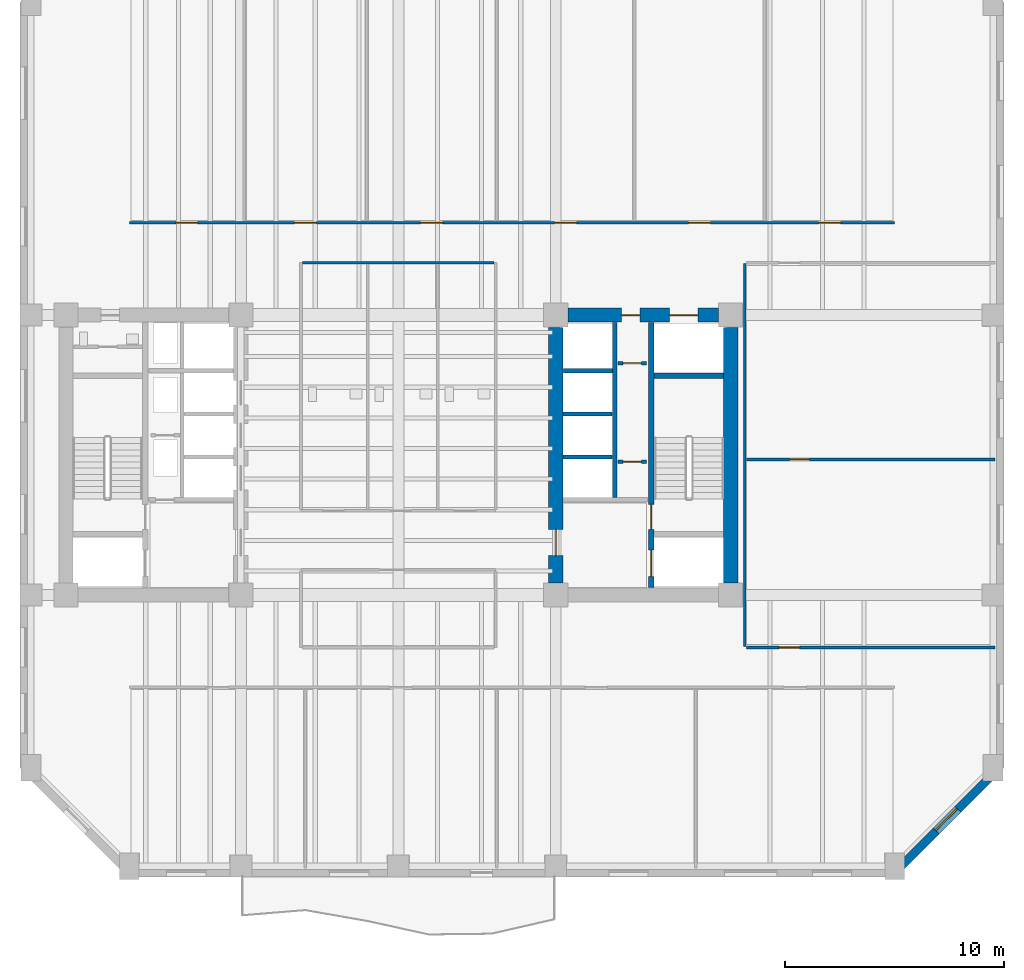
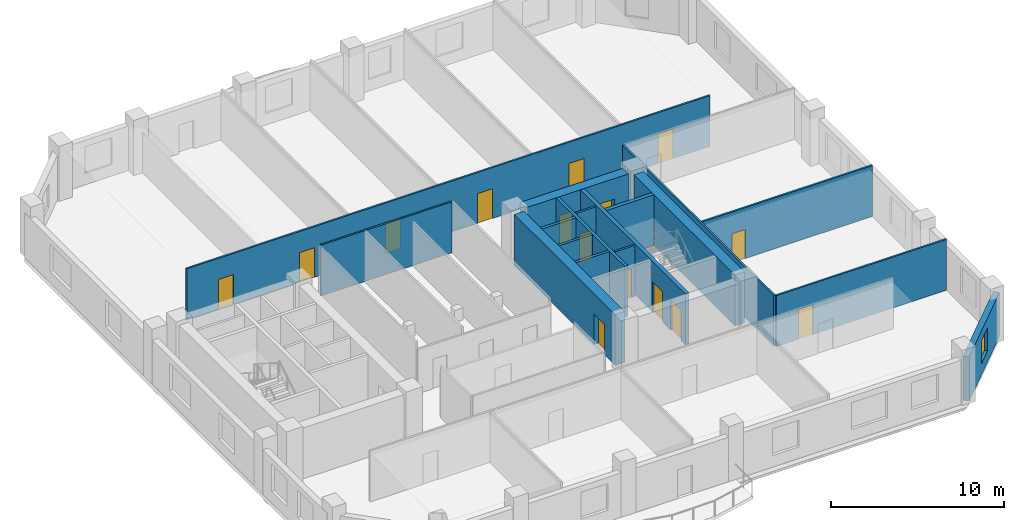
# One storey, part 4 of 8: 17 walls, 15 doors, 1 window, 16 openings.
"""IFC4 building model written with IfcOpenShell, lengths in metres."""

from ifc_helpers import new_model, si_unit, direction, frame, frame_2d, origin, place, context, subcontext, project, spatial, rectangle, extrude, material, layer, layer_set, type_object, element, fill, save


model = new_model("IFC4")

# Units and contexts
model_context = context("Model", 3, precision=1e-05, world=origin(), true_north=direction((0.0, 1.0)))
body_context = subcontext(model_context, "Body", "Model", "MODEL_VIEW")
ifc_project = project(units=[si_unit("LENGTHUNIT", "METRE"), si_unit("AREAUNIT", "SQUARE_METRE"), si_unit("VOLUMEUNIT", "CUBIC_METRE"), si_unit("PLANEANGLEUNIT", "RADIAN"), si_unit("MASSUNIT", "GRAM", prefix="KILO")], contexts=[model_context])

# Site, building, storey
site_placement = place(None, origin())
site = spatial("IfcSite", under=ifc_project, at=site_placement, CompositionType="ELEMENT")
building_placement = place(site_placement, origin())
building = spatial("IfcBuilding", under=site, at=building_placement, Name="Kranthara Brick Stack", CompositionType="ELEMENT")
storey_placement = place(building_placement, frame((0.0, 0.0, 82.800048828125)))
storey = spatial("IfcBuildingStorey", under=building, at=storey_placement, Name="L20", CompositionType="ELEMENT", Elevation=82.800048828125)

# Wall, opening, window
ifc_material_1 = material(Name="Kiln-fired clay brick masonry M15", Category="masonry")
ifc_layer_1 = layer(ifc_material_1, 0.3798828125)
ifc_layer_set_1 = layer_set([ifc_layer_1], Name="Kiln-fired clay brick masonry M15")
wall_type_1 = type_object("IfcWallType", Name="WL-BRK-PIER-380", PredefinedType="STANDARD", material=ifc_layer_set_1)
wall_1_placement = place(storey_placement, frame((55.489990234375, 12.89990234375, 0.0), z_axis=(0.0, 0.0, 1.0), x_axis=(-0.707124801467, -0.707088760447, 0.0)))
wall_1 = element("IfcWall", 1, at=wall_1_placement, inside=storey, type_object=wall_type_1, Name="L20 Exterior Brick Facade Wall SE 1", PredefinedType="STANDARD", context=body_context, shape_type="SweptSolid", body=[
    extrude(rectangle(XDim=6.77392578125, YDim=0.3798828125, at=frame_2d((3.386962890625, 0.0))), origin(), (0.0, 0.0, 1.0), 3.135009765625),
])
opening_1_placement = place(wall_1_placement, frame((2.68701171875, 0.0, 0.800048828125)))
opening_1 = element("IfcOpeningElement", 2, at=opening_1_placement, cuts=wall_1, Name="Opening WN10", PredefinedType="OPENING", context=body_context, shape_type="SweptSolid", body=[
    extrude(rectangle(XDim=1.39990234375, YDim=1.64990234375, at=frame_2d((0.699951171875, 0.824951171875))), frame((0.0, 0.199951171875, 0.0), z_axis=(0.0, -1.0, 0.0), x_axis=(1.0, 0.0, 0.0)), (0.0, 0.0, 1.0), 0.39990234375),
])
ifc_material_2 = material(Name="Double-glazed low-E solar control glass", Category="glass")
window_type = type_object("IfcWindowType", Name="WN-CHM-1400x1750", PartitioningType="SINGLE_PANEL", PredefinedType="WINDOW", material=ifc_material_2)
window_placement = place(opening_1_placement, origin())
window = element("IfcWindow", 3, at=window_placement, inside=storey, type_object=window_type, Name="L20 SE Chamfer Corner Window", OverallHeight=1.64990234375, OverallWidth=1.39990234375, PartitioningType="SINGLE_PANEL", PredefinedType="WINDOW", context=body_context, shape_type="SweptSolid", body=[
    extrude(rectangle(XDim=1.39990234375, YDim=1.64990234375, at=frame_2d((0.699951171875, 0.824951171875))), frame((0.0, -0.010009765625, 0.0), z_axis=(0.0, -1.0, 0.0), x_axis=(1.0, 0.0, 0.0)), (0.0, 0.0, 1.0), 0.06005859375),
])
fill(opening_1, window)

# Wall, openings, doors
ifc_material_3 = material(Name="Concrete C50/60", Category="concrete")
ifc_layer_2 = layer(ifc_material_3, 0.25)
ifc_layer_set_2 = layer_set([ifc_layer_2], Name="Concrete C50/60")
wall_type_2 = type_object("IfcWallType", Name="WL-CORE-250", PredefinedType="SHEAR", material=ifc_layer_set_2)
wall_2_placement = place(storey_placement, frame((39.56494140625, 21.135009765625, 0.0), z_axis=(0.0, 0.0, 1.0), x_axis=(0.0, 1.0, 0.0)))
wall_2 = element("IfcWall", 4, at=wall_2_placement, inside=storey, type_object=wall_type_2, Name="L20 East Core Stair Bearing Spine Wall", PredefinedType="SHEAR", context=body_context, shape_type="SweptSolid", body=[
    extrude(rectangle(XDim=12.1298828125, YDim=0.25, at=frame_2d((6.06494140625, 0.0))), origin(), (0.0, 0.0, 1.0), 3.599853515625),
])
opening_2_placement = place(wall_2_placement, frame((0.514892578125, 0.0, 0.0)))
opening_2 = element("IfcOpeningElement", 5, at=opening_2_placement, cuts=wall_2, Name="Opening LD01", PredefinedType="OPENING", context=body_context, shape_type="SweptSolid", body=[
    extrude(rectangle(XDim=1.199951171875, YDim=2.14990234375, at=frame_2d((0.60009765625, 1.074951171875))), frame((0.0, 0.135009765625, 0.0), z_axis=(0.0, -1.0, 0.0), x_axis=(1.0, 0.0, 0.0)), (0.0, 0.0, 1.0), 0.27001953125),
])
opening_3_placement = place(wall_2_placement, frame((2.6650390625, 0.0, 0.0)))
opening_3 = element("IfcOpeningElement", 6, at=opening_3_placement, cuts=wall_2, Name="Opening D05", PredefinedType="OPENING", context=body_context, shape_type="SweptSolid", body=[
    extrude(rectangle(XDim=1.14990234375, YDim=2.14990234375, at=frame_2d((0.574951171875, 1.074951171875))), frame((0.0, 0.135009765625, 0.0), z_axis=(0.0, -1.0, 0.0), x_axis=(1.0, 0.0, 0.0)), (0.0, 0.0, 1.0), 0.27001953125),
])
ifc_material_4 = material(Name="Stainless steel sliding landing door", Category="steel")
door_type_1 = type_object("IfcDoorType", Name="DR-LD-FF1200", OperationType="DOUBLE_DOOR_SLIDING", PredefinedType="DOOR", material=ifc_material_4)
door_1_placement = place(opening_2_placement, origin())
door_1 = element("IfcDoor", 7, at=door_1_placement, inside=storey, type_object=door_type_1, Name="L20 Firefighting Lift FF-02 Landing Door", OperationType="DOUBLE_DOOR_SLIDING", OverallHeight=2.14990234375, OverallWidth=1.199951171875, PredefinedType="DOOR", context=body_context, shape_type="SweptSolid", body=[
    extrude(rectangle(XDim=1.199951171875, YDim=2.14990234375, at=frame_2d((0.60009765625, 1.074951171875))), frame((0.0, 0.02490234375, 0.0), z_axis=(0.0, -1.0, 0.0), x_axis=(1.0, 0.0, 0.0)), (0.0, 0.0, 1.0), 0.050048828125),
])
fill(opening_2, door_1)
ifc_material_5 = material(Name="Solid-core hardwood timber leaf in steel frame", Category="steel")
door_type_2 = type_object("IfcDoorType", Name="DR-ST-1150", OperationType="NOTDEFINED", PredefinedType="DOOR", material=ifc_material_5)
door_2_placement = place(opening_3_placement, origin())
door_2 = element("IfcDoor", 8, at=door_2_placement, inside=storey, type_object=door_type_2, Name="L20 Exit Stair ST02 Door", OperationType="SINGLE_SWING_LEFT", OverallHeight=2.14990234375, OverallWidth=1.14990234375, PredefinedType="DOOR", context=body_context, shape_type="SweptSolid", body=[
    extrude(rectangle(XDim=1.14990234375, YDim=2.14990234375, at=frame_2d((0.574951171875, 1.074951171875))), frame((0.0, 0.02490234375, 0.0), z_axis=(0.0, -1.0, 0.0), x_axis=(1.0, 0.0, 0.0)), (0.0, 0.0, 1.0), 0.050048828125),
])
fill(opening_3, door_2)

# Walls
wall_3_placement = place(storey_placement, frame((39.68994140625, 30.830078125, 0.0), z_axis=(0.0, 0.0, 1.0), x_axis=(1.0, 0.0, 0.0)))
element("IfcWall", 9, at=wall_3_placement, inside=storey, type_object=wall_type_2, Name="L20 East Stairwell Bearing Wall EST", PredefinedType="SHEAR", context=body_context, shape_type="SweptSolid", body=[
    extrude(rectangle(XDim=3.175048828125, YDim=0.25, at=frame_2d((1.58740234375, 0.0))), origin(), (0.0, 0.0, 1.0), 3.599853515625),
])
ifc_material_6 = material(Name="Concrete C60/75", Category="concrete")
ifc_layer_3 = layer(ifc_material_6, 0.64990234375)
ifc_layer_set_3 = layer_set([ifc_layer_3], Name="Concrete C60/75")
wall_type_3 = type_object("IfcWallType", Name="WL-CORE-650", PredefinedType="SHEAR", material=ifc_layer_set_3)
wall_4_placement = place(storey_placement, frame((43.199951171875, 21.35498046875, 0.0), z_axis=(0.0, 0.0, 1.0), x_axis=(0.0, 1.0, 0.0)))
element("IfcWall", 10, at=wall_4_placement, inside=storey, type_object=wall_type_3, Name="L20 East Core Shear Wall East", PredefinedType="SHEAR", context=body_context, shape_type="SweptSolid", body=[
    extrude(rectangle(XDim=11.68994140625, YDim=0.64990234375, at=frame_2d((5.844970703125, 0.0))), origin(), (0.0, 0.0, 1.0), 3.599853515625),
])

# Wall, openings, doors
wall_5_placement = place(storey_placement, frame((35.7548828125, 33.60009765625, 0.0), z_axis=(0.0, 0.0, 1.0), x_axis=(1.0, 0.0, 0.0)))
wall_5 = element("IfcWall", 11, at=wall_5_placement, inside=storey, type_object=wall_type_3, Name="L20 East Core Shear Wall North", PredefinedType="SHEAR", context=body_context, shape_type="SweptSolid", body=[
    extrude(rectangle(XDim=6.89013671875, YDim=0.64990234375, at=frame_2d((3.445068359375, 0.0))), origin(), (0.0, 0.0, 1.0), 3.599853515625),
])
opening_4_placement = place(wall_5_placement, frame((4.64501953125, 0.0, 0.0)))
opening_4 = element("IfcOpeningElement", 12, at=opening_4_placement, cuts=wall_5, Name="Opening LD03", PredefinedType="OPENING", context=body_context, shape_type="SweptSolid", body=[
    extrude(rectangle(XDim=1.300048828125, YDim=2.14990234375, at=frame_2d((0.64990234375, 1.074951171875))), frame((0.0, 0.3349609375, 0.0), z_axis=(0.0, -1.0, 0.0), x_axis=(1.0, 0.0, 0.0)), (0.0, 0.0, 1.0), 0.669921875),
])
opening_5_placement = place(wall_5_placement, frame((2.445068359375, 0.0, 0.0)))
opening_5 = element("IfcOpeningElement", 13, at=opening_5_placement, cuts=wall_5, Name="Opening D10", PredefinedType="OPENING", context=body_context, shape_type="SweptSolid", body=[
    extrude(rectangle(XDim=0.85009765625, YDim=2.02001953125, at=frame_2d((0.425048828125, 1.010009765625))), frame((0.0, 0.3349609375, 0.0), z_axis=(0.0, -1.0, 0.0), x_axis=(1.0, 0.0, 0.0)), (0.0, 0.0, 1.0), 0.669921875),
])
ifc_material_7 = material(Name="Stainless steel sliding landing door", Category="steel")
door_type_3 = type_object("IfcDoorType", Name="DR-LD-SV1300", OperationType="DOUBLE_DOOR_SLIDING", PredefinedType="DOOR", material=ifc_material_7)
door_3_placement = place(opening_4_placement, origin())
door_3 = element("IfcDoor", 14, at=door_3_placement, inside=storey, type_object=door_type_3, Name="L20 Stretcher Service Lift SV-01 Landing Door", OperationType="DOUBLE_DOOR_SLIDING", OverallHeight=2.14990234375, OverallWidth=1.300048828125, PredefinedType="DOOR", context=body_context, shape_type="SweptSolid", body=[
    extrude(rectangle(XDim=1.300048828125, YDim=2.14990234375, at=frame_2d((0.64990234375, 1.074951171875))), frame((0.0, 0.02490234375, 0.0), z_axis=(0.0, -1.0, 0.0), x_axis=(1.0, 0.0, 0.0)), (0.0, 0.0, 1.0), 0.050048828125),
])
fill(opening_4, door_3)
ifc_material_8 = material(Name="Solid-core hardwood timber leaf in steel frame", Category="steel")
door_type_4 = type_object("IfcDoorType", Name="DR-RSR-850", OperationType="NOTDEFINED", PredefinedType="DOOR", material=ifc_material_8)
door_4_placement = place(opening_5_placement, origin())
door_4 = element("IfcDoor", 15, at=door_4_placement, inside=storey, type_object=door_type_4, Name="L20 East Core Service Room Door", OperationType="SINGLE_SWING_LEFT", OverallHeight=2.02001953125, OverallWidth=0.85009765625, PredefinedType="DOOR", context=body_context, shape_type="SweptSolid", body=[
    extrude(rectangle(XDim=0.85009765625, YDim=2.02001953125, at=frame_2d((0.425048828125, 1.010009765625))), frame((0.0, 0.02490234375, 0.0), z_axis=(0.0, -1.0, 0.0), x_axis=(1.0, 0.0, 0.0)), (0.0, 0.0, 1.0), 0.050048828125),
])
fill(opening_5, door_4)

# Wall, opening, door
wall_6_placement = place(storey_placement, frame((35.199951171875, 21.35498046875, 0.0), z_axis=(0.0, 0.0, 1.0), x_axis=(0.0, 1.0, 0.0)))
wall_6 = element("IfcWall", 16, at=wall_6_placement, inside=storey, type_object=wall_type_3, Name="L20 East Core Shear Wall West", PredefinedType="SHEAR", context=body_context, shape_type="SweptSolid", body=[
    extrude(rectangle(XDim=11.68994140625, YDim=0.64990234375, at=frame_2d((5.844970703125, 0.0))), origin(), (0.0, 0.0, 1.0), 3.599853515625),
])
opening_6_placement = place(wall_6_placement, frame((1.2451171875, 0.0, 0.0)))
opening_6 = element("IfcOpeningElement", 17, at=opening_6_placement, cuts=wall_6, Name="Opening D06", PredefinedType="OPENING", context=body_context, shape_type="SweptSolid", body=[
    extrude(rectangle(XDim=1.199951171875, YDim=2.14990234375, at=frame_2d((0.60009765625, 1.074951171875))), frame((0.0, 0.3349609375, 0.0), z_axis=(0.0, -1.0, 0.0), x_axis=(1.0, 0.0, 0.0)), (0.0, 0.0, 1.0), 0.669921875),
])
ifc_material_9 = material(Name="Solid-core hardwood timber leaf in steel frame", Category="steel")
door_type_5 = type_object("IfcDoorType", Name="DR-FFL-1200", OperationType="NOTDEFINED", PredefinedType="DOOR", material=ifc_material_9)
door_5_placement = place(opening_6_placement, origin())
door_5 = element("IfcDoor", 18, at=door_5_placement, inside=storey, type_object=door_type_5, Name="L20 East Firefighting Lobby Door", OperationType="SINGLE_SWING_RIGHT", OverallHeight=2.14990234375, OverallWidth=1.199951171875, PredefinedType="DOOR", context=body_context, shape_type="SweptSolid", body=[
    extrude(rectangle(XDim=1.199951171875, YDim=2.14990234375, at=frame_2d((0.60009765625, 1.074951171875))), frame((0.0, 0.02490234375, 0.0), z_axis=(0.0, -1.0, 0.0), x_axis=(1.0, 0.0, 0.0)), (0.0, 0.0, 1.0), 0.050048828125),
])
fill(opening_6, door_5)

# Wall
ifc_material_10 = material(Name="Acoustic gypsum plasterboard partition", Category="other")
ifc_layer_4 = layer(ifc_material_10, 0.1201171875)
ifc_layer_set_4 = layer_set([ifc_layer_4], Name="Acoustic gypsum plasterboard partition")
wall_type_4 = type_object("IfcWallType", Name="WL-PART-120", PredefinedType="PARTITIONING", material=ifc_layer_set_4)
wall_7_placement = place(storey_placement, frame((23.614990234375, 36.0, 0.0), z_axis=(0.0, 0.0, 1.0), x_axis=(1.0, 0.0, 0.0)))
element("IfcWall", 19, at=wall_7_placement, inside=storey, type_object=wall_type_4, Name="L20 Interior Partition 010", PredefinedType="PARTITIONING", context=body_context, shape_type="SweptSolid", body=[
    extrude(rectangle(XDim=8.77001953125, YDim=0.1201171875, at=frame_2d((4.385009765625, 0.0))), origin(), (0.0, 0.0, 1.0), 3.599853515625),
])

# Wall, openings, doors
wall_8_placement = place(storey_placement, frame((15.699951171875, 37.820068359375, 0.0), z_axis=(0.0, 0.0, 1.0), x_axis=(1.0, 0.0, 0.0)))
wall_8 = element("IfcWall", 20, at=wall_8_placement, inside=storey, type_object=wall_type_4, Name="L20 Interior Partition 019", PredefinedType="PARTITIONING", context=body_context, shape_type="SweptSolid", body=[
    extrude(rectangle(XDim=35.0, YDim=0.1201171875, at=frame_2d((17.5, 0.0))), origin(), (0.0, 0.0, 1.0), 3.599853515625),
])
opening_7_placement = place(wall_8_placement, frame((2.125, 0.0, 0.0)))
opening_7 = element("IfcOpeningElement", 21, at=opening_7_placement, cuts=wall_8, Name="Opening D13", PredefinedType="OPENING", context=body_context, shape_type="SweptSolid", body=[
    extrude(rectangle(XDim=1.0, YDim=2.10009765625, at=frame_2d((0.5, 1.050048828125))), frame((0.0, 0.070068359375, 0.0), z_axis=(0.0, -1.0, 0.0), x_axis=(1.0, 0.0, 0.0)), (0.0, 0.0, 1.0), 0.14013671875),
])
opening_8_placement = place(wall_8_placement, frame((7.550048828125, 0.0, 0.0)))
opening_8 = element("IfcOpeningElement", 22, at=opening_8_placement, cuts=wall_8, Name="Opening D13", PredefinedType="OPENING", context=body_context, shape_type="SweptSolid", body=[
    extrude(rectangle(XDim=1.0, YDim=2.10009765625, at=frame_2d((0.5, 1.050048828125))), frame((0.0, 0.070068359375, 0.0), z_axis=(0.0, -1.0, 0.0), x_axis=(1.0, 0.0, 0.0)), (0.0, 0.0, 1.0), 0.14013671875),
])
opening_9_placement = place(wall_8_placement, frame((13.324951171875, 0.0, 0.0)))
opening_9 = element("IfcOpeningElement", 23, at=opening_9_placement, cuts=wall_8, Name="Opening D13", PredefinedType="OPENING", context=body_context, shape_type="SweptSolid", body=[
    extrude(rectangle(XDim=1.0, YDim=2.10009765625, at=frame_2d((0.5, 1.050048828125))), frame((0.0, 0.070068359375, 0.0), z_axis=(0.0, -1.0, 0.0), x_axis=(1.0, 0.0, 0.0)), (0.0, 0.0, 1.0), 0.14013671875),
])
opening_10_placement = place(wall_8_placement, frame((19.449951171875, 0.0, 0.0)))
opening_10 = element("IfcOpeningElement", 24, at=opening_10_placement, cuts=wall_8, Name="Opening D13", PredefinedType="OPENING", context=body_context, shape_type="SweptSolid", body=[
    extrude(rectangle(XDim=1.0, YDim=2.10009765625, at=frame_2d((0.5, 1.050048828125))), frame((0.0, 0.070068359375, 0.0), z_axis=(0.0, -1.0, 0.0), x_axis=(1.0, 0.0, 0.0)), (0.0, 0.0, 1.0), 0.14013671875),
])
opening_11_placement = place(wall_8_placement, frame((25.574951171875, 0.0, 0.0)))
opening_11 = element("IfcOpeningElement", 25, at=opening_11_placement, cuts=wall_8, Name="Opening D13", PredefinedType="OPENING", context=body_context, shape_type="SweptSolid", body=[
    extrude(rectangle(XDim=1.0, YDim=2.10009765625, at=frame_2d((0.5, 1.050048828125))), frame((0.0, 0.070068359375, 0.0), z_axis=(0.0, -1.0, 0.0), x_axis=(1.0, 0.0, 0.0)), (0.0, 0.0, 1.0), 0.14013671875),
])
opening_12_placement = place(wall_8_placement, frame((31.52490234375, 0.0, 0.0)))
opening_12 = element("IfcOpeningElement", 26, at=opening_12_placement, cuts=wall_8, Name="Opening D13", PredefinedType="OPENING", context=body_context, shape_type="SweptSolid", body=[
    extrude(rectangle(XDim=1.0, YDim=2.10009765625, at=frame_2d((0.5, 1.050048828125))), frame((0.0, 0.070068359375, 0.0), z_axis=(0.0, -1.0, 0.0), x_axis=(1.0, 0.0, 0.0)), (0.0, 0.0, 1.0), 0.14013671875),
])
ifc_material_11 = material(Name="Solid-core hardwood timber leaf in steel frame", Category="steel")
door_type_6 = type_object("IfcDoorType", Name="DR-INT-1000", OperationType="NOTDEFINED", PredefinedType="DOOR", material=ifc_material_11)
door_6_placement = place(opening_7_placement, origin())
door_6 = element("IfcDoor", 27, at=door_6_placement, inside=storey, type_object=door_type_6, Name="L20 Executive Cellular Office 13", OperationType="SINGLE_SWING_LEFT", OverallHeight=2.10009765625, OverallWidth=1.0, PredefinedType="DOOR", context=body_context, shape_type="SweptSolid", body=[
    extrude(rectangle(XDim=1.0, YDim=2.10009765625, at=frame_2d((0.5, 1.050048828125))), frame((0.0, 0.02490234375, 0.0), z_axis=(0.0, -1.0, 0.0), x_axis=(1.0, 0.0, 0.0)), (0.0, 0.0, 1.0), 0.050048828125),
])
fill(opening_7, door_6)
door_7_placement = place(opening_8_placement, origin())
door_7 = element("IfcDoor", 28, at=door_7_placement, inside=storey, type_object=door_type_6, Name="L20 Executive Cellular Office 14", OperationType="SINGLE_SWING_RIGHT", OverallHeight=2.10009765625, OverallWidth=1.0, PredefinedType="DOOR", context=body_context, shape_type="SweptSolid", body=[
    extrude(rectangle(XDim=1.0, YDim=2.10009765625, at=frame_2d((0.5, 1.050048828125))), frame((0.0, 0.02490234375, 0.0), z_axis=(0.0, -1.0, 0.0), x_axis=(1.0, 0.0, 0.0)), (0.0, 0.0, 1.0), 0.050048828125),
])
fill(opening_8, door_7)
door_8_placement = place(opening_9_placement, origin())
door_8 = element("IfcDoor", 29, at=door_8_placement, inside=storey, type_object=door_type_6, Name="L20 Executive Cellular Office 15", OperationType="SINGLE_SWING_LEFT", OverallHeight=2.10009765625, OverallWidth=1.0, PredefinedType="DOOR", context=body_context, shape_type="SweptSolid", body=[
    extrude(rectangle(XDim=1.0, YDim=2.10009765625, at=frame_2d((0.5, 1.050048828125))), frame((0.0, 0.02490234375, 0.0), z_axis=(0.0, -1.0, 0.0), x_axis=(1.0, 0.0, 0.0)), (0.0, 0.0, 1.0), 0.050048828125),
])
fill(opening_9, door_8)
door_9_placement = place(opening_10_placement, origin())
door_9 = element("IfcDoor", 30, at=door_9_placement, inside=storey, type_object=door_type_6, Name="L20 Executive Cellular Office 16", OperationType="SINGLE_SWING_RIGHT", OverallHeight=2.10009765625, OverallWidth=1.0, PredefinedType="DOOR", context=body_context, shape_type="SweptSolid", body=[
    extrude(rectangle(XDim=1.0, YDim=2.10009765625, at=frame_2d((0.5, 1.050048828125))), frame((0.0, 0.02490234375, 0.0), z_axis=(0.0, -1.0, 0.0), x_axis=(1.0, 0.0, 0.0)), (0.0, 0.0, 1.0), 0.050048828125),
])
fill(opening_10, door_9)
door_10_placement = place(opening_11_placement, origin())
door_10 = element("IfcDoor", 31, at=door_10_placement, inside=storey, type_object=door_type_6, Name="L20 Focus Study Room 17", OperationType="SINGLE_SWING_LEFT", OverallHeight=2.10009765625, OverallWidth=1.0, PredefinedType="DOOR", context=body_context, shape_type="SweptSolid", body=[
    extrude(rectangle(XDim=1.0, YDim=2.10009765625, at=frame_2d((0.5, 1.050048828125))), frame((0.0, 0.02490234375, 0.0), z_axis=(0.0, -1.0, 0.0), x_axis=(1.0, 0.0, 0.0)), (0.0, 0.0, 1.0), 0.050048828125),
])
fill(opening_11, door_10)
door_11_placement = place(opening_12_placement, origin())
door_11 = element("IfcDoor", 32, at=door_11_placement, inside=storey, type_object=door_type_6, Name="L20 Staff Pantry 18", OperationType="SINGLE_SWING_RIGHT", OverallHeight=2.10009765625, OverallWidth=1.0, PredefinedType="DOOR", context=body_context, shape_type="SweptSolid", body=[
    extrude(rectangle(XDim=1.0, YDim=2.10009765625, at=frame_2d((0.5, 1.050048828125))), frame((0.0, 0.02490234375, 0.0), z_axis=(0.0, -1.0, 0.0), x_axis=(1.0, 0.0, 0.0)), (0.0, 0.0, 1.0), 0.050048828125),
])
fill(opening_12, door_11)

# Wall
wall_9_placement = place(storey_placement, frame((43.85009765625, 18.449951171875, 0.0), z_axis=(0.0, 0.0, 1.0), x_axis=(0.0, 1.0, 0.0)))
element("IfcWall", 33, at=wall_9_placement, inside=storey, type_object=wall_type_4, Name="L20 Interior Partition 025", PredefinedType="PARTITIONING", context=body_context, shape_type="SweptSolid", body=[
    extrude(rectangle(XDim=17.5, YDim=0.1201171875, at=frame_2d((8.75, 0.0))), origin(), (0.0, 0.0, 1.0), 3.599853515625),
])

# Wall, opening, door
wall_10_placement = place(storey_placement, frame((43.9150390625, 18.39990234375, 0.0), z_axis=(0.0, 0.0, 1.0), x_axis=(1.0, 0.0, 0.0)))
wall_10 = element("IfcWall", 34, at=wall_10_placement, inside=storey, type_object=wall_type_4, Name="L20 Interior Partition 026", PredefinedType="PARTITIONING", context=body_context, shape_type="SweptSolid", body=[
    extrude(rectangle(XDim=11.3798828125, YDim=0.1201171875, at=frame_2d((5.68994140625, 0.0))), origin(), (0.0, 0.0, 1.0), 3.599853515625),
])
opening_13_placement = place(wall_10_placement, frame((1.485107421875, 0.0, 0.0)))
opening_13 = element("IfcOpeningElement", 35, at=opening_13_placement, cuts=wall_10, Name="Opening D14", PredefinedType="OPENING", context=body_context, shape_type="SweptSolid", body=[
    extrude(rectangle(XDim=0.949951171875, YDim=2.10009765625, at=frame_2d((0.47509765625, 1.050048828125))), frame((0.0, 0.070068359375, 0.0), z_axis=(0.0, -1.0, 0.0), x_axis=(1.0, 0.0, 0.0)), (0.0, 0.0, 1.0), 0.14013671875),
])
ifc_material_12 = material(Name="Solid-core hardwood timber leaf in steel frame", Category="steel")
door_type_7 = type_object("IfcDoorType", Name="DR-INT-950", OperationType="NOTDEFINED", PredefinedType="DOOR", material=ifc_material_12)
door_12_placement = place(opening_13_placement, origin())
door_12 = element("IfcDoor", 36, at=door_12_placement, inside=storey, type_object=door_type_7, Name="L20 East South Office 20", OperationType="SINGLE_SWING_RIGHT", OverallHeight=2.10009765625, OverallWidth=0.949951171875, PredefinedType="DOOR", context=body_context, shape_type="SweptSolid", body=[
    extrude(rectangle(XDim=0.949951171875, YDim=2.10009765625, at=frame_2d((0.47509765625, 1.050048828125))), frame((0.0, 0.02490234375, 0.0), z_axis=(0.0, -1.0, 0.0), x_axis=(1.0, 0.0, 0.0)), (0.0, 0.0, 1.0), 0.050048828125),
])
fill(opening_13, door_12)

wall_11_placement = place(storey_placement, frame((43.9150390625, 27.0, 0.0), z_axis=(0.0, 0.0, 1.0), x_axis=(1.0, 0.0, 0.0)))
wall_11 = element("IfcWall", 37, at=wall_11_placement, inside=storey, type_object=wall_type_4, Name="L20 Interior Partition 028", PredefinedType="PARTITIONING", context=body_context, shape_type="SweptSolid", body=[
    extrude(rectangle(XDim=11.3798828125, YDim=0.1201171875, at=frame_2d((5.68994140625, 0.0))), origin(), (0.0, 0.0, 1.0), 3.599853515625),
])
opening_14_placement = place(wall_11_placement, frame((1.985107421875, 0.0, 0.0)))
opening_14 = element("IfcOpeningElement", 38, at=opening_14_placement, cuts=wall_11, Name="Opening D15", PredefinedType="OPENING", context=body_context, shape_type="SweptSolid", body=[
    extrude(rectangle(XDim=0.89990234375, YDim=2.050048828125, at=frame_2d((0.449951171875, 1.02490234375))), frame((0.0, 0.070068359375, 0.0), z_axis=(0.0, -1.0, 0.0), x_axis=(1.0, 0.0, 0.0)), (0.0, 0.0, 1.0), 0.14013671875),
])
ifc_material_13 = material(Name="Solid-core hardwood timber leaf in steel frame", Category="steel")
door_type_8 = type_object("IfcDoorType", Name="DR-INT-900", OperationType="NOTDEFINED", PredefinedType="DOOR", material=ifc_material_13)
door_13_placement = place(opening_14_placement, origin())
door_13 = element("IfcDoor", 39, at=door_13_placement, inside=storey, type_object=door_type_8, Name="L20 East Inner Suite Door 19", OperationType="SINGLE_SWING_LEFT", OverallHeight=2.050048828125, OverallWidth=0.89990234375, PredefinedType="DOOR", context=body_context, shape_type="SweptSolid", body=[
    extrude(rectangle(XDim=0.89990234375, YDim=2.050048828125, at=frame_2d((0.449951171875, 1.02490234375))), frame((0.0, 0.02490234375, 0.0), z_axis=(0.0, -1.0, 0.0), x_axis=(1.0, 0.0, 0.0)), (0.0, 0.0, 1.0), 0.050048828125),
])
fill(opening_14, door_13)

ifc_material_14 = material(Name="Fire-rated gypsum board partition", Category="other")
ifc_layer_5 = layer(ifc_material_14, 0.14990234375)
ifc_layer_set_5 = layer_set([ifc_layer_5], Name="Fire-rated gypsum board partition")
wall_type_5 = type_object("IfcWallType", Name="WL-PART-150", PredefinedType="PARTITIONING", material=ifc_layer_set_5)
wall_12_placement = place(storey_placement, frame((38.050048828125, 26.89990234375, 0.0), z_axis=(0.0, 0.0, 1.0), x_axis=(1.0, 0.0, 0.0)))
wall_12 = element("IfcWall", 40, at=wall_12_placement, inside=storey, type_object=wall_type_5, Name="L20 Interior Partition 002", PredefinedType="PARTITIONING", context=body_context, shape_type="SweptSolid", body=[
    extrude(rectangle(XDim=1.300048828125, YDim=0.14990234375, at=frame_2d((0.64990234375, 0.0))), origin(), (0.0, 0.0, 1.0), 3.599853515625),
])
opening_15_placement = place(wall_12_placement, frame((0.219970703125, 0.0, 0.0)))
opening_15 = element("IfcOpeningElement", 41, at=opening_15_placement, cuts=wall_12, Name="Opening D10", PredefinedType="OPENING", context=body_context, shape_type="SweptSolid", body=[
    extrude(rectangle(XDim=0.85009765625, YDim=2.02001953125, at=frame_2d((0.425048828125, 1.010009765625))), frame((0.0, 0.0849609375, 0.0), z_axis=(0.0, -1.0, 0.0), x_axis=(1.0, 0.0, 0.0)), (0.0, 0.0, 1.0), 0.169921875),
])
door_14_placement = place(opening_15_placement, origin())
door_14 = element("IfcDoor", 42, at=door_14_placement, inside=storey, type_object=door_type_4, Name="L20 East Valve Door 02", OperationType="SINGLE_SWING_RIGHT", OverallHeight=2.02001953125, OverallWidth=0.85009765625, PredefinedType="DOOR", context=body_context, shape_type="SweptSolid", body=[
    extrude(rectangle(XDim=0.85009765625, YDim=2.02001953125, at=frame_2d((0.425048828125, 1.010009765625))), frame((0.0, 0.02490234375, 0.0), z_axis=(0.0, -1.0, 0.0), x_axis=(1.0, 0.0, 0.0)), (0.0, 0.0, 1.0), 0.050048828125),
])
fill(opening_15, door_14)

wall_13_placement = place(storey_placement, frame((38.050048828125, 31.39990234375, 0.0), z_axis=(0.0, 0.0, 1.0), x_axis=(1.0, 0.0, 0.0)))
wall_13 = element("IfcWall", 43, at=wall_13_placement, inside=storey, type_object=wall_type_5, Name="L20 Interior Partition 003", PredefinedType="PARTITIONING", context=body_context, shape_type="SweptSolid", body=[
    extrude(rectangle(XDim=1.300048828125, YDim=0.14990234375, at=frame_2d((0.64990234375, 0.0))), origin(), (0.0, 0.0, 1.0), 3.599853515625),
])
opening_16_placement = place(wall_13_placement, frame((0.219970703125, 0.0, 0.0)))
opening_16 = element("IfcOpeningElement", 44, at=opening_16_placement, cuts=wall_13, Name="Opening D10", PredefinedType="OPENING", context=body_context, shape_type="SweptSolid", body=[
    extrude(rectangle(XDim=0.85009765625, YDim=2.02001953125, at=frame_2d((0.425048828125, 1.010009765625))), frame((0.0, 0.0849609375, 0.0), z_axis=(0.0, -1.0, 0.0), x_axis=(1.0, 0.0, 0.0)), (0.0, 0.0, 1.0), 0.169921875),
])
door_15_placement = place(opening_16_placement, origin())
door_15 = element("IfcDoor", 45, at=door_15_placement, inside=storey, type_object=door_type_4, Name="L20 East Switch Door 03", OperationType="SINGLE_SWING_LEFT", OverallHeight=2.02001953125, OverallWidth=0.85009765625, PredefinedType="DOOR", context=body_context, shape_type="SweptSolid", body=[
    extrude(rectangle(XDim=0.85009765625, YDim=2.02001953125, at=frame_2d((0.425048828125, 1.010009765625))), frame((0.0, 0.02490234375, 0.0), z_axis=(0.0, -1.0, 0.0), x_axis=(1.0, 0.0, 0.0)), (0.0, 0.0, 1.0), 0.050048828125),
])
fill(opening_16, door_15)

# Walls
ifc_material_15 = material(Name="Gypsum plasterboard on acoustic twin stud", Category="other")
ifc_layer_6 = layer(ifc_material_15, 0.179931640625)
ifc_layer_set_6 = layer_set([ifc_layer_6], Name="Gypsum plasterboard on acoustic twin stud")
wall_type_6 = type_object("IfcWallType", Name="WL-PART-180", PredefinedType="PARTITIONING", material=ifc_layer_set_6)
for number, where, z_axis, x_axis, name in (
    (46, (35.534912109375, 27.1201171875, 0.0), (0.0, 0.0, 1.0), (1.0, 0.0, 0.0), "L20 East Hoistway Wall EH1"),
    (47, (35.534912109375, 29.080078125, 0.0), (0.0, 0.0, 1.0), (1.0, 0.0, 0.0), "L20 East Hoistway Wall EH2"),
):
    element("IfcWall", number, at=place(storey_placement, frame(where, z_axis=z_axis, x_axis=x_axis)), inside=storey, type_object=wall_type_6, Name=name, PredefinedType="PARTITIONING", context=body_context, shape_type="SweptSolid", body=[
        extrude(rectangle(XDim=2.2451171875, YDim=0.179931640625, at=frame_2d((1.12255859375, 0.0))), origin(), (0.0, 0.0, 1.0), 3.599853515625),
    ])
ifc_material_16 = material(Name="Concrete C40/50", Category="concrete")
ifc_layer_7 = layer(ifc_material_16, 0.199951171875)
ifc_layer_set_7 = layer_set([ifc_layer_7], Name="Concrete C40/50")
wall_type_7 = type_object("IfcWallType", Name="WL-PART-200", PredefinedType="SOLIDWALL", material=ifc_layer_set_7)
wall_14_placement = place(storey_placement, frame((35.550048828125, 31.050048828125, 0.0), z_axis=(0.0, 0.0, 1.0), x_axis=(1.0, 0.0, 0.0)))
element("IfcWall", 48, at=wall_14_placement, inside=storey, type_object=wall_type_7, Name="L20 East Core Cross Wall EE4", PredefinedType="SOLIDWALL", context=body_context, shape_type="SweptSolid", body=[
    extrude(rectangle(XDim=2.25, YDim=0.199951171875, at=frame_2d((1.125, 0.0))), origin(), (0.0, 0.0, 1.0), 3.599853515625),
])
wall_15_placement = place(storey_placement, frame((37.89990234375, 25.27001953125, 0.0), z_axis=(0.0, 0.0, 1.0), x_axis=(0.0, 1.0, 0.0)))
element("IfcWall", 49, at=wall_15_placement, inside=storey, type_object=wall_type_7, Name="L20 East Core Cross Wall ESV", PredefinedType="SOLIDWALL", context=body_context, shape_type="SweptSolid", body=[
    extrude(rectangle(XDim=7.994873046875, YDim=0.199951171875, at=frame_2d((3.99755859375, 0.0))), origin(), (0.0, 0.0, 1.0), 3.599853515625),
])

save(model, "model.ifc")
